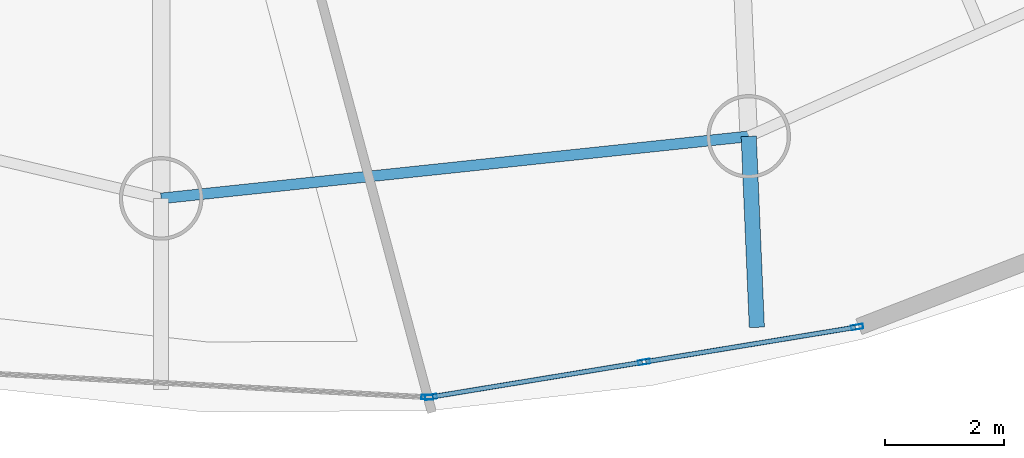
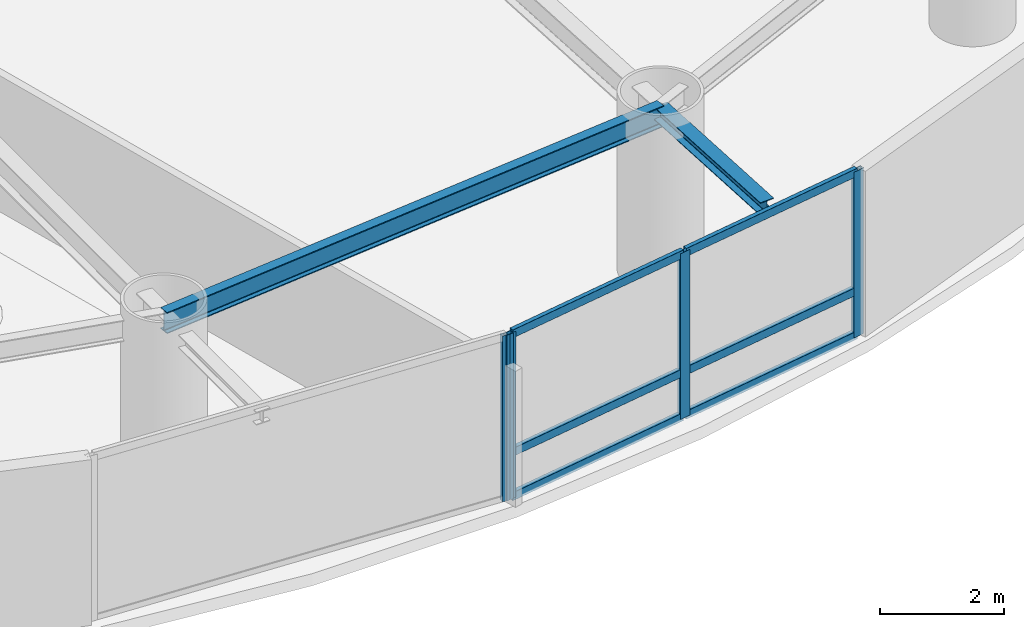
# One storey, part 7 of 20: 10 members, 2 beams, 2 elements without a shape of their own.
"""IFC4 building model written with IfcOpenShell, lengths in metres."""

from ifc_helpers import new_model, si_unit, direction, frame, origin, origin_2d, place, context, subcontext, project, spatial, hollow_rectangle, i_section, extrude, material, layer, layer_set, material_profile, profile_set, type_object, element, aggregate, save


model = new_model("IFC4")

# Units and contexts
model_context = context("Model", 3, precision=1e-05, world=origin(), true_north=direction((0.0, 1.0)))
body_context = subcontext(model_context, "Body", "Model", "MODEL_VIEW")
ifc_project = project(units=[si_unit("LENGTHUNIT", "METRE"), si_unit("AREAUNIT", "SQUARE_METRE"), si_unit("VOLUMEUNIT", "CUBIC_METRE"), si_unit("PLANEANGLEUNIT", "RADIAN"), si_unit("MASSUNIT", "GRAM", prefix="KILO")], contexts=[model_context])

# Site, building, storey
site_placement = place(None, origin())
site = spatial("IfcSite", under=ifc_project, at=site_placement, CompositionType="ELEMENT")
building_placement = place(site_placement, origin())
building = spatial("IfcBuilding", under=site, at=building_placement, Name="Bramvorn Convention Spire", CompositionType="ELEMENT")
storey_placement = place(building_placement, frame((0.0, 0.0, 130.800048828125)))
storey = spatial("IfcBuildingStorey", under=building, at=storey_placement, Name="L32", CompositionType="ELEMENT", Elevation=130.800048828125)

# Beams
ifc_material_1 = material(Name="Steel CSA G40.21 Grade 350 (350W)", Category="steel")
ifc_material_profile_1 = material_profile(ifc_material_1, i_section(OverallWidth=0.25390625, OverallDepth=0.2529296875, WebThickness=0.008544921875, FlangeThickness=0.01416015625, FilletRadius=0.011962890625, at=origin_2d()))
ifc_profile_set_1 = profile_set([ifc_material_profile_1], Name="Steel CSA G40.21 Grade 350 (350W) - W250X73")
beam_type_1 = type_object("IfcBeamType", Name="BM-W250X73", PredefinedType="BEAM", material=ifc_profile_set_1)
beam_1_placement = place(storey_placement, frame((49.76171875, 6.521240234375, 3.1083984375), z_axis=(0.042496892375, -0.999096599003, 0.0), x_axis=(0.999096599003, 0.042496892375, 0.0)))
element("IfcBeam", 1, at=beam_1_placement, inside=storey, type_object=beam_type_1, Name="L32 slab-edge cantilever tip beam MC15", PredefinedType="BEAM", context=body_context, shape_type="SweptSolid", body=[
    extrude(i_section(OverallWidth=0.25390625, OverallDepth=0.2529296875, WebThickness=0.008544921875, FlangeThickness=0.01416015625, FilletRadius=0.011962890625, at=origin_2d()), origin(), (0.0, 0.0, 1.0), 3.199951171875),
])
ifc_material_profile_2 = material_profile(ifc_material_1, i_section(OverallWidth=0.180908203125, OverallDepth=0.4169921875, WebThickness=0.010986328125, FlangeThickness=0.018310546875, FilletRadius=0.01611328125, at=origin_2d()))
ifc_profile_set_2 = profile_set([ifc_material_profile_2], Name="Steel CSA G40.21 Grade 350 (350W) - W410X85")
beam_type_2 = type_object("IfcBeamType", Name="BM-W410X85", PredefinedType="JOIST", material=ifc_profile_set_2)
beam_2_placement = place(storey_placement, frame((39.924072265625, 5.482666015625, 3.051513671875), z_axis=(0.994473491975, 0.104987969596, 0.0), x_axis=(-0.104987969596, 0.994473491975, 0.0)))
element("IfcBeam", 2, at=beam_2_placement, inside=storey, type_object=beam_type_2, Name="L32 mega-column ring beam 14", PredefinedType="JOIST", context=body_context, shape_type="SweptSolid", body=[
    extrude(i_section(OverallWidth=0.180908203125, OverallDepth=0.4169921875, WebThickness=0.010986328125, FlangeThickness=0.018310546875, FilletRadius=0.01611328125, at=origin_2d()), origin(), (0.0, 0.0, 1.0), 9.892333984375),
])

# Curtain wall, member
ifc_material_2 = material(Name="Anodised Bronze Unitised Curtain Wall", Category="aluminium")
ifc_layer = layer(ifc_material_2, 0.179931640625)
ifc_layer_set = layer_set([ifc_layer], Name="Anodised Bronze Unitised Curtain Wall - CW-HTL-FRIT")
curtain_wall_type = type_object("IfcCurtainWallType", Name="CW-HTL-FRIT", PredefinedType="USERDEFINED", material=ifc_layer_set)
curtain_wall_1_placement = place(storey_placement, origin())
curtain_wall_1 = element("IfcCurtainWall", 3, at=curtain_wall_1_placement, inside=storey, type_object=curtain_wall_type, Name="L32 fritted glass curtain wall 20", ObjectType="UNITISED CURTAIN WALL", PredefinedType="USERDEFINED")
ifc_material_3 = material(Name="Anodised Bronze Aluminium 6063-T6", Category="aluminium")
ifc_material_profile_3 = material_profile(ifc_material_3, hollow_rectangle(XDim=0.080078125, YDim=0.199951171875, WallThickness=0.00390625, InnerFilletRadius=0.0009765625, OuterFilletRadius=0.00390625, at=origin_2d()))
ifc_profile_set_3 = profile_set([ifc_material_profile_3], Name="Anodised Bronze Aluminium 6063-T6 - CWM80X200")
member_type_1 = type_object("IfcMemberType", Name="CW-MUL-180", PredefinedType="MULLION", material=ifc_profile_set_3)
member_1_placement = place(storey_placement, frame((44.3818359375, 2.154541015625, 0.0), z_axis=(0.0, 0.0, 1.0), x_axis=(-0.054087762064, -0.998536185621, 0.0)))
member_1 = element("IfcMember", 4, at=member_1_placement, type_object=member_type_1, Name="CW2 mullion 1", PredefinedType="MULLION", context=body_context, shape_type="SweptSolid", body=[
    extrude(hollow_rectangle(XDim=0.080078125, YDim=0.199951171875, WallThickness=0.00390625, InnerFilletRadius=0.0009765625, OuterFilletRadius=0.00390625, at=origin_2d()), origin(), (0.0, 0.0, 1.0), 3.260009765625),
])
aggregate(curtain_wall_1, [member_1])

# Curtain wall, members
curtain_wall_2_placement = place(storey_placement, origin())
curtain_wall_2 = element("IfcCurtainWall", 5, at=curtain_wall_2_placement, inside=storey, type_object=curtain_wall_type, Name="L32 fritted glass curtain wall 21", ObjectType="UNITISED CURTAIN WALL", PredefinedType="USERDEFINED")
member_2_placement = place(storey_placement, frame((51.57763671875, 3.32958984375, 0.0), z_axis=(0.0, 0.0, 1.0), x_axis=(0.162043434501, -0.986783626402, 0.0)))
member_2 = element("IfcMember", 6, at=member_2_placement, type_object=member_type_1, Name="CW2 mullion 1", PredefinedType="MULLION", context=body_context, shape_type="SweptSolid", body=[
    extrude(hollow_rectangle(XDim=0.080078125, YDim=0.199951171875, WallThickness=0.00390625, InnerFilletRadius=0.0009765625, OuterFilletRadius=0.00390625, at=origin_2d()), origin(), (0.0, 0.0, 1.0), 3.260009765625),
])
member_3_placement = place(storey_placement, frame((48.009521484375, 2.74365234375, 0.0), z_axis=(0.0, 0.0, 1.0), x_axis=(0.162043434501, -0.986783626402, 0.0)))
member_3 = element("IfcMember", 7, at=member_3_placement, type_object=member_type_1, Name="CW2 mullion 2", PredefinedType="MULLION", context=body_context, shape_type="SweptSolid", body=[
    extrude(hollow_rectangle(XDim=0.080078125, YDim=0.199951171875, WallThickness=0.00390625, InnerFilletRadius=0.0009765625, OuterFilletRadius=0.00390625, at=origin_2d()), origin(), (0.0, 0.0, 1.0), 3.260009765625),
])
member_4_placement = place(storey_placement, frame((44.44140625, 2.15771484375, 0.0), z_axis=(0.0, 0.0, 1.0), x_axis=(0.162043434501, -0.986783626402, 0.0)))
member_4 = element("IfcMember", 8, at=member_4_placement, type_object=member_type_1, Name="CW2 mullion 3", PredefinedType="MULLION", context=body_context, shape_type="SweptSolid", body=[
    extrude(hollow_rectangle(XDim=0.080078125, YDim=0.199951171875, WallThickness=0.00390625, InnerFilletRadius=0.0009765625, OuterFilletRadius=0.00390625, at=origin_2d()), origin(), (0.0, 0.0, 1.0), 3.260009765625),
])
ifc_material_profile_4 = material_profile(ifc_material_3, hollow_rectangle(XDim=0.080078125, YDim=0.159912109375, WallThickness=0.00390625, InnerFilletRadius=0.0009765625, OuterFilletRadius=0.00390625, at=origin_2d()))
ifc_profile_set_4 = profile_set([ifc_material_profile_4], Name="Anodised Bronze Aluminium 6063-T6 - CWT80X160")
member_type_2 = type_object("IfcMemberType", Name="CW-TRN-150", PredefinedType="USERDEFINED", material=ifc_profile_set_4)
member_5_placement = place(storey_placement, frame((51.548095703125, 3.32470703125, 0.030029296875), z_axis=(-0.98678630661, -0.162027112196, 0.0), x_axis=(0.162027112196, -0.98678630661, 0.0)))
member_5 = element("IfcMember", 9, at=member_5_placement, type_object=member_type_2, Name="CW2 transom 1.1", ObjectType="TRANSOM", PredefinedType="USERDEFINED", context=body_context, shape_type="SweptSolid", body=[
    extrude(hollow_rectangle(XDim=0.080078125, YDim=0.159912109375, WallThickness=0.00390625, InnerFilletRadius=0.0009765625, OuterFilletRadius=0.00390625, at=origin_2d()), origin(), (0.0, 0.0, 1.0), 3.555908203125),
])
member_6_placement = place(storey_placement, frame((51.548095703125, 3.32470703125, 0.89990234375), z_axis=(-0.98678630661, -0.162027112196, 0.0), x_axis=(0.162027112196, -0.98678630661, 0.0)))
member_6 = element("IfcMember", 10, at=member_6_placement, type_object=member_type_2, Name="CW2 transom 1.2", ObjectType="TRANSOM", PredefinedType="USERDEFINED", context=body_context, shape_type="SweptSolid", body=[
    extrude(hollow_rectangle(XDim=0.080078125, YDim=0.159912109375, WallThickness=0.00390625, InnerFilletRadius=0.0009765625, OuterFilletRadius=0.00390625, at=origin_2d()), origin(), (0.0, 0.0, 1.0), 3.555908203125),
])
member_7_placement = place(storey_placement, frame((51.548095703125, 3.32470703125, 3.22998046875), z_axis=(-0.98678630661, -0.162027112196, 0.0), x_axis=(0.162027112196, -0.98678630661, 0.0)))
member_7 = element("IfcMember", 11, at=member_7_placement, type_object=member_type_2, Name="CW2 transom 1.3", ObjectType="TRANSOM", PredefinedType="USERDEFINED", context=body_context, shape_type="SweptSolid", body=[
    extrude(hollow_rectangle(XDim=0.080078125, YDim=0.159912109375, WallThickness=0.00390625, InnerFilletRadius=0.0009765625, OuterFilletRadius=0.00390625, at=origin_2d()), origin(), (0.0, 0.0, 1.0), 3.555908203125),
])
member_8_placement = place(storey_placement, frame((47.979736328125, 2.73876953125, 0.030029296875), z_axis=(-0.986784504027, -0.162038090002, 0.0), x_axis=(0.162038090002, -0.986784504027, 0.0)))
member_8 = element("IfcMember", 12, at=member_8_placement, type_object=member_type_2, Name="CW2 transom 2.1", ObjectType="TRANSOM", PredefinedType="USERDEFINED", context=body_context, shape_type="SweptSolid", body=[
    extrude(hollow_rectangle(XDim=0.080078125, YDim=0.159912109375, WallThickness=0.00390625, InnerFilletRadius=0.0009765625, OuterFilletRadius=0.00390625, at=origin_2d()), origin(), (0.0, 0.0, 1.0), 3.5556640625),
])
member_9_placement = place(storey_placement, frame((47.979736328125, 2.73876953125, 0.89990234375), z_axis=(-0.986784504027, -0.162038090002, 0.0), x_axis=(0.162038090002, -0.986784504027, 0.0)))
member_9 = element("IfcMember", 13, at=member_9_placement, type_object=member_type_2, Name="CW2 transom 2.2", ObjectType="TRANSOM", PredefinedType="USERDEFINED", context=body_context, shape_type="SweptSolid", body=[
    extrude(hollow_rectangle(XDim=0.080078125, YDim=0.159912109375, WallThickness=0.00390625, InnerFilletRadius=0.0009765625, OuterFilletRadius=0.00390625, at=origin_2d()), origin(), (0.0, 0.0, 1.0), 3.5556640625),
])
member_10_placement = place(storey_placement, frame((47.979736328125, 2.73876953125, 3.22998046875), z_axis=(-0.986784504027, -0.162038090002, 0.0), x_axis=(0.162038090002, -0.986784504027, 0.0)))
member_10 = element("IfcMember", 14, at=member_10_placement, type_object=member_type_2, Name="CW2 transom 2.3", ObjectType="TRANSOM", PredefinedType="USERDEFINED", context=body_context, shape_type="SweptSolid", body=[
    extrude(hollow_rectangle(XDim=0.080078125, YDim=0.159912109375, WallThickness=0.00390625, InnerFilletRadius=0.0009765625, OuterFilletRadius=0.00390625, at=origin_2d()), origin(), (0.0, 0.0, 1.0), 3.5556640625),
])
aggregate(curtain_wall_2, [member_2, member_3, member_4, member_5, member_6, member_7, member_8, member_9, member_10])

save(model, "model.ifc")
